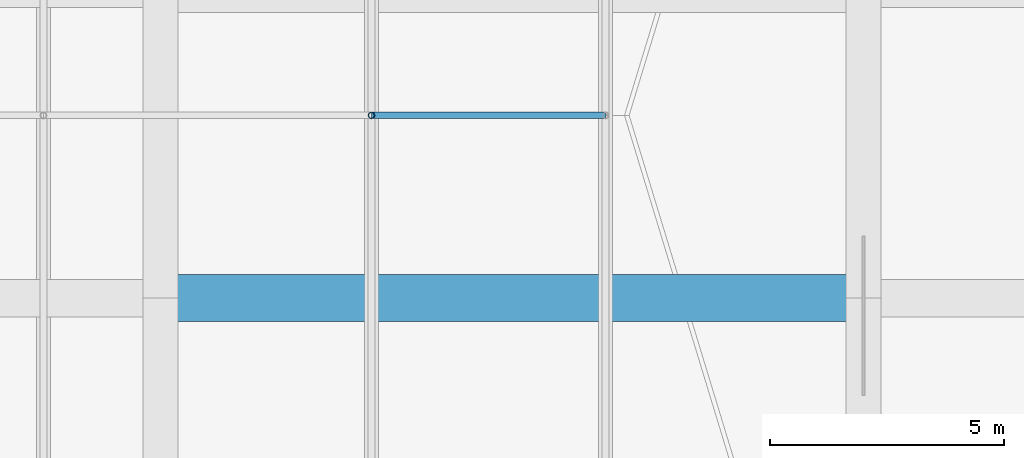
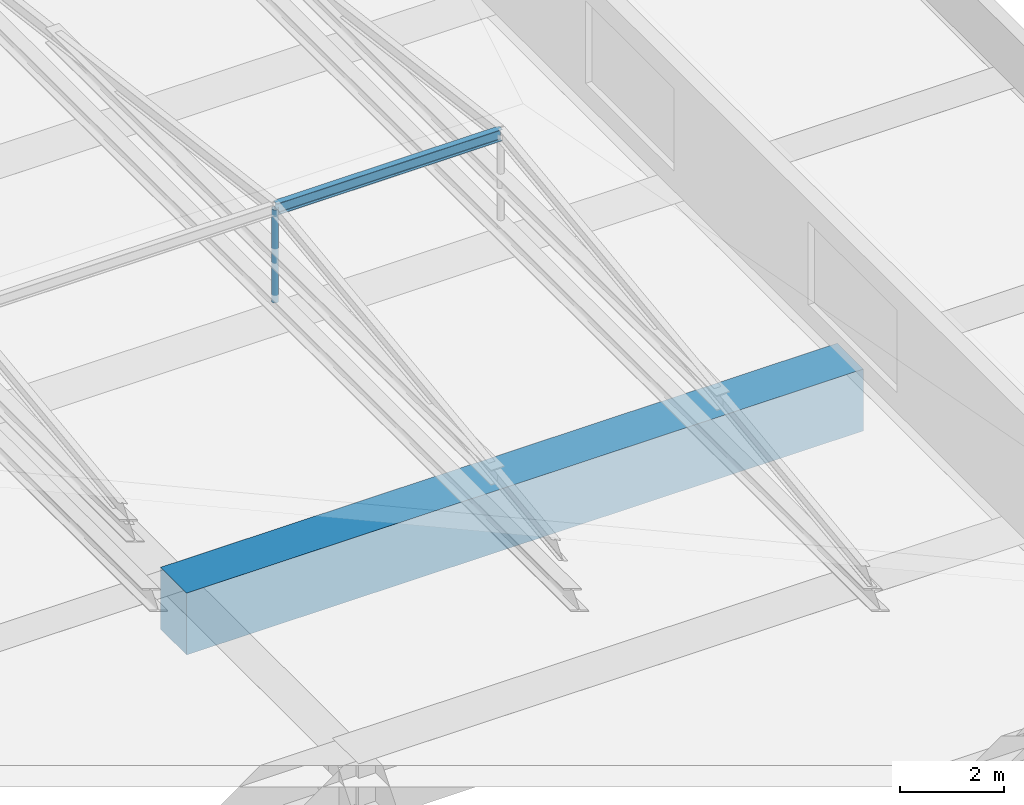
# One storey, part 28 of 49: 2 members, 1 beam.
"""IFC4 building model written with IfcOpenShell, lengths in metres."""

from ifc_helpers import new_model, si_unit, direction, frame, origin, origin_2d, place, context, subcontext, project, spatial, rectangle, hollow_circle, i_section, extrude, material, material_profile, profile_set, type_object, element, save


model = new_model("IFC4")

# Units and contexts
model_context = context("Model", 3, precision=1e-05, world=origin(), true_north=direction((0.0, 1.0)))
body_context = subcontext(model_context, "Body", "Model", "MODEL_VIEW")
ifc_project = project(units=[si_unit("LENGTHUNIT", "METRE"), si_unit("AREAUNIT", "SQUARE_METRE"), si_unit("VOLUMEUNIT", "CUBIC_METRE"), si_unit("PLANEANGLEUNIT", "RADIAN"), si_unit("MASSUNIT", "GRAM", prefix="KILO")], contexts=[model_context])

# Site, building, storey
site_placement = place(None, origin())
site = spatial("IfcSite", under=ifc_project, at=site_placement, CompositionType="ELEMENT")
building_placement = place(site_placement, origin())
building = spatial("IfcBuilding", under=site, at=building_placement, Name="Akrevak Sports Hall", CompositionType="ELEMENT")
storey_placement = place(building_placement, frame((0.0, 0.0, 24.14990234375)))
storey = spatial("IfcBuildingStorey", under=building, at=storey_placement, Name="L04", CompositionType="ELEMENT", Elevation=24.14990234375)

# Beam
ifc_material_1 = material(Name="Concrete C50/60", Category="concrete")
ifc_material_profile_1 = material_profile(ifc_material_1, rectangle(XDim=1.0, YDim=1.449951171875, at=origin_2d()), Name="BM 1000x1450", Category="concrete")
ifc_profile_set_1 = profile_set([ifc_material_profile_1], Name="Concrete C50/60")
beam_type = type_object("IfcBeamType", Name="STR-BM-LG1000x1450", PredefinedType="BEAM", material=ifc_profile_set_1)
beam_placement = place(storey_placement, frame((145.5, 48.60009765625, -0.724853515625), z_axis=(1.0, 0.0, 0.0), x_axis=(0.0, 1.0, 0.0)))
element("IfcBeam", 1, at=beam_placement, inside=storey, type_object=beam_type, Name="Girder H/20-22 (L04)", PredefinedType="BEAM", context=body_context, shape_type="SweptSolid", body=[
    extrude(rectangle(XDim=1.0, YDim=1.449951171875, at=origin_2d()), origin(), (0.0, 0.0, 1.0), 15.0),
])

# Members
ifc_material_2 = material(Name="Steel S355", Category="steel")
ifc_material_profile_2 = material_profile(ifc_material_2, hollow_circle(Radius=0.06982421875, WallThickness=0.008056640625, at=origin_2d()), Name="CHS 139.7x8", Category="steel")
ifc_profile_set_2 = profile_set([ifc_material_profile_2], Name="Steel S355")
member_type_1 = type_object("IfcMemberType", Name="STR-MEM-BRACE-CHS139", PredefinedType="BRACE", material=ifc_profile_set_2)
member_1_placement = place(storey_placement, frame((150.0, 52.5, 2.60009765625), z_axis=(0.0, 0.0, 1.0), x_axis=(1.0, 0.0, 0.0)))
element("IfcMember", 2, at=member_1_placement, inside=storey, type_object=member_type_1, Name="East Volleyball & Climbing Hall Monitor Roof Central King Post 3", PredefinedType="BRACE", context=body_context, shape_type="SweptSolid", body=[
    extrude(hollow_circle(Radius=0.06982421875, WallThickness=0.008056640625, at=origin_2d()), origin(), (0.0, 0.0, 1.0), 2.179931640625),
])
ifc_material_profile_3 = material_profile(ifc_material_2, i_section(OverallWidth=0.135009765625, OverallDepth=0.27001953125, WebThickness=0.006591796875, FlangeThickness=0.01025390625, FilletRadius=0.014892578125, at=origin_2d()), Name="IPE 270", Category="steel")
ifc_profile_set_3 = profile_set([ifc_material_profile_3], Name="Steel S355")
member_type_2 = type_object("IfcMemberType", Name="STR-MEM-PUR-IPE270", PredefinedType="PURLIN", material=ifc_profile_set_3)
member_2_placement = place(storey_placement, frame((150.0, 52.5, 4.780029296875), z_axis=(1.0, 0.0, 0.0), x_axis=(0.0, 1.0, 0.0)))
element("IfcMember", 3, at=member_2_placement, inside=storey, type_object=member_type_2, Name="East Volleyball & Climbing Hall Monitor Roof Ridge Steel Purlin 3", PredefinedType="PURLIN", context=body_context, shape_type="SweptSolid", body=[
    extrude(i_section(OverallWidth=0.135009765625, OverallDepth=0.27001953125, WebThickness=0.006591796875, FlangeThickness=0.01025390625, FilletRadius=0.014892578125, at=origin_2d()), origin(), (0.0, 0.0, 1.0), 5.0),
])

save(model, "model.ifc")
